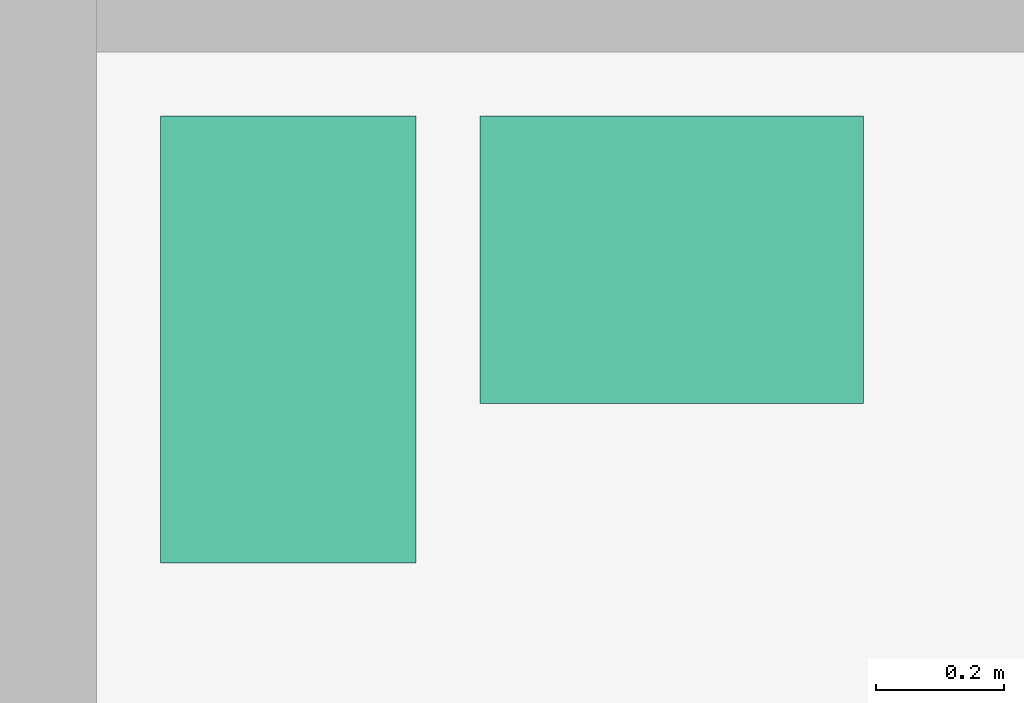
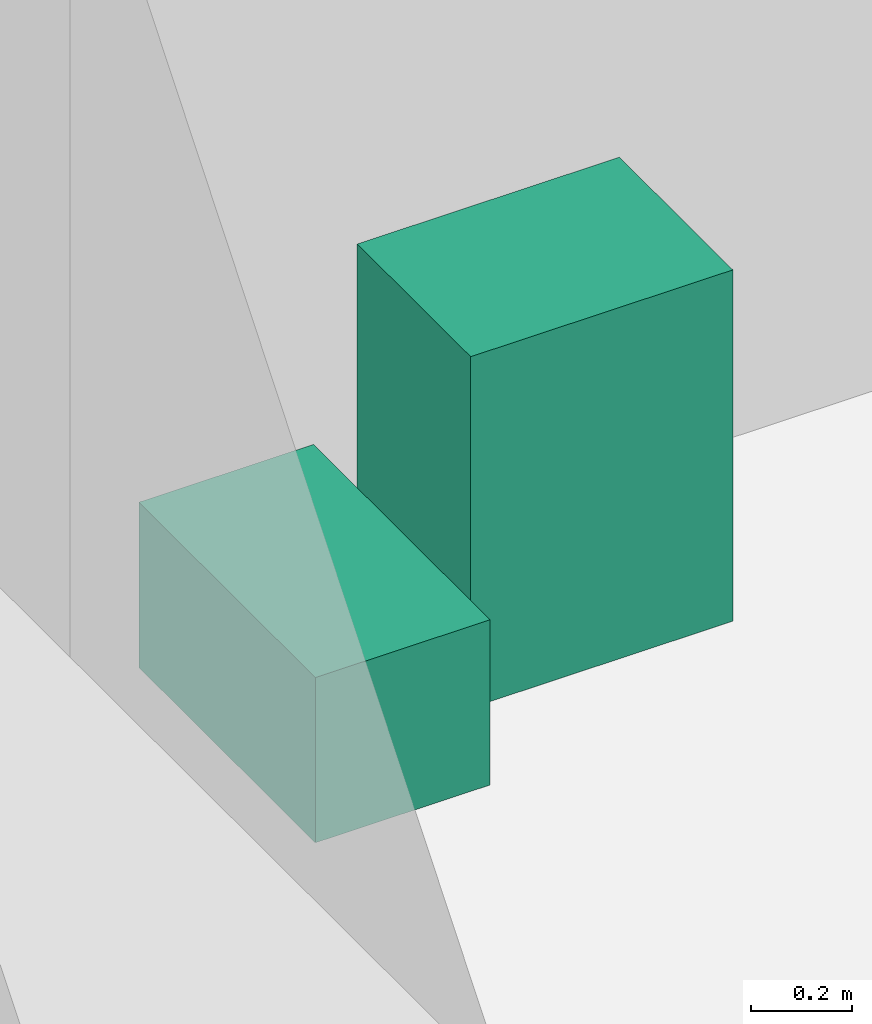
# One storey, part 14 of 14: 2 sanitary terminals.
"""IFC4 building model written with IfcOpenShell, lengths in metres."""

from ifc_helpers import new_model, si_unit, direction, frame, origin, origin_2d, place, context, subcontext, project, spatial, rectangle, extrude, element, save


model = new_model("IFC4")

# Units and contexts
model_context = context("Model", 3, precision=1e-05, world=origin(), true_north=direction((0.0, 1.0)))
body_context = subcontext(model_context, "Body", "Model", "MODEL_VIEW")
ifc_project = project(units=[si_unit("LENGTHUNIT", "METRE"), si_unit("AREAUNIT", "SQUARE_METRE"), si_unit("VOLUMEUNIT", "CUBIC_METRE"), si_unit("PLANEANGLEUNIT", "RADIAN"), si_unit("MASSUNIT", "GRAM", prefix="KILO")], contexts=[model_context])

# Site, building, storey
site_placement = place(None, origin())
site = spatial("IfcSite", under=ifc_project, at=site_placement, CompositionType="ELEMENT")
building_placement = place(site_placement, origin())
building = spatial("IfcBuilding", under=site, at=building_placement, Name="Hankou Lantern Tower", CompositionType="ELEMENT")
storey_placement = place(building_placement, frame((0.0, 0.0, 108.89990234375)))
storey = spatial("IfcBuildingStorey", under=building, at=storey_placement, Name="L27", CompositionType="ELEMENT", Elevation=108.89990234375)

# Sanitary terminals
sanitary_terminal_1_placement = place(storey_placement, frame((-11.300048828125, 3.64990234375, 0.000244140625), z_axis=(0.0, 0.0, 1.0), x_axis=(1.0, 0.0, 0.0)))
element("IfcSanitaryTerminal", 1, at=sanitary_terminal_1_placement, inside=storey, Name="Accessible staff WC WC pan 1", PredefinedType="TOILETPAN", context=body_context, shape_type="SweptSolid", body=[
    extrude(rectangle(XDim=0.39990234375, YDim=0.699951171875, at=origin_2d()), origin(), (0.0, 0.0, 1.0), 0.39990234375),
])
sanitary_terminal_2_placement = place(storey_placement, frame((-10.699951171875, 3.77490234375, 0.0), z_axis=(0.0, 0.0, 1.0), x_axis=(1.0, 0.0, 0.0)))
element("IfcSanitaryTerminal", 2, at=sanitary_terminal_2_placement, inside=storey, Name="Accessible staff WC wash basin 1", PredefinedType="WASHHANDBASIN", context=body_context, shape_type="SweptSolid", body=[
    extrude(rectangle(XDim=0.60009765625, YDim=0.449951171875, at=origin_2d()), origin(), (0.0, 0.0, 1.0), 0.85009765625),
])

save(model, "model.ifc")
